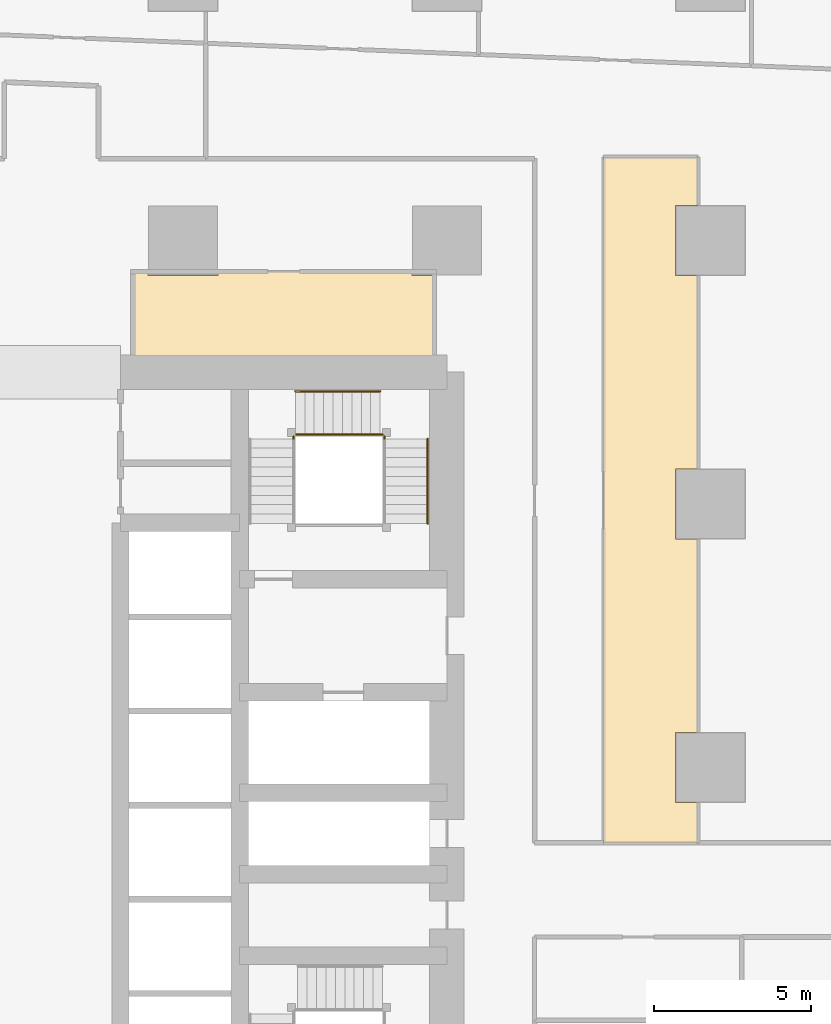
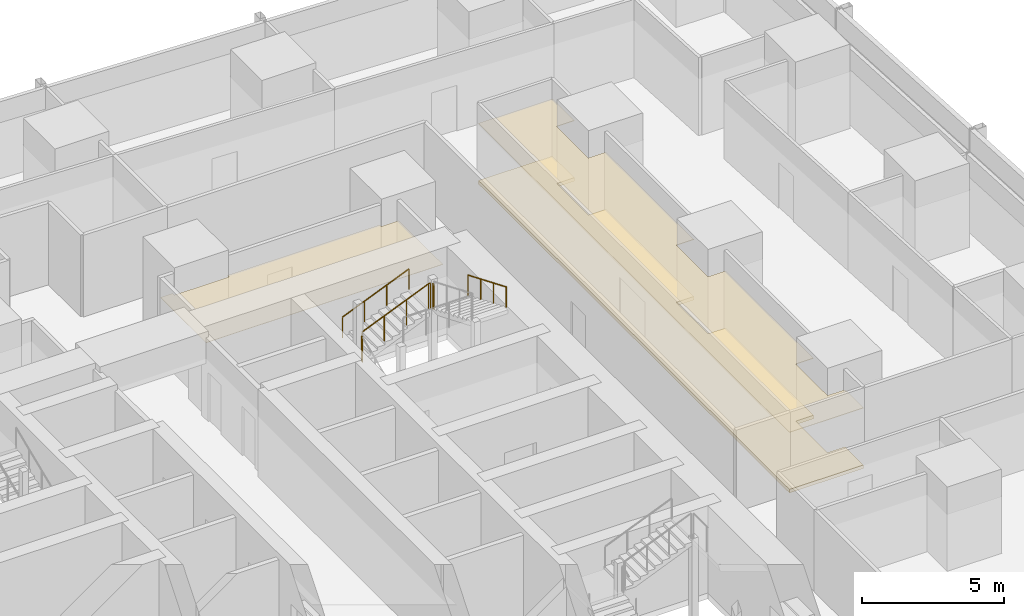
# One storey, part 43 of 44: 6 railings, 3 coverings.
"""IFC4 building model written with IfcOpenShell, lengths in metres."""

from ifc_helpers import new_model, si_unit, direction, frame, origin, origin_2d, place, context, subcontext, project, spatial, polyline, circle, outline, extrude, material, layer, layer_set, type_object, element, save


model = new_model("IFC4")

# Units and contexts
model_context = context("Model", 3, precision=1e-05, world=origin(), true_north=direction((0.0, 1.0)))
body_context = subcontext(model_context, "Body", "Model", "MODEL_VIEW")
ifc_project = project(units=[si_unit("LENGTHUNIT", "METRE"), si_unit("AREAUNIT", "SQUARE_METRE"), si_unit("VOLUMEUNIT", "CUBIC_METRE"), si_unit("PLANEANGLEUNIT", "RADIAN"), si_unit("MASSUNIT", "GRAM", prefix="KILO")], contexts=[model_context])

# Site, building, storey
site_placement = place(None, origin())
site = spatial("IfcSite", under=ifc_project, at=site_placement, CompositionType="ELEMENT")
building_placement = place(site_placement, origin())
building = spatial("IfcBuilding", under=site, at=building_placement, Name="Rekha Terrace Tower", CompositionType="ELEMENT")
storey_placement = place(building_placement, frame((0.0, 0.0, 47.89990234375)))
storey = spatial("IfcBuildingStorey", under=building, at=storey_placement, Name="L11", CompositionType="ELEMENT", Elevation=47.89990234375)

# Coverings
ifc_material_1 = material(Name="Mineral fibre tile in exposed grid", Category="finish")
ifc_layer_1 = layer(ifc_material_1, 0.02001953125)
ifc_layer_set_1 = layer_set([ifc_layer_1], Name="Mineral fibre tile in exposed grid")
covering_type_1 = type_object("IfcCoveringType", Name="CL1 600x1200 office grid ceiling", PredefinedType="CEILING", material=ifc_layer_set_1)
covering_1_placement = place(storey_placement, frame((0.0, 0.0, 2.580078125)))
element("IfcCovering", 1, at=covering_1_placement, inside=storey, type_object=covering_type_1, Name="Ceiling L11-12", PredefinedType="CEILING", context=body_context, shape_type="SweptSolid", body=[
    extrude(outline(polyline([(58.39990234375, 51.514892578125), (58.39990234375, 53.050048828125), (55.39990234375, 53.050048828125), (55.39990234375, 31.199951171875), (58.39990234375, 31.199951171875), (58.39990234375, 32.485107421875), (57.68505859375, 32.485107421875), (57.68505859375, 34.715087890625), (58.39990234375, 34.715087890625), (58.39990234375, 40.885009765625), (57.68505859375, 40.885009765625), (57.68505859375, 43.114990234375), (58.39990234375, 43.114990234375), (58.39990234375, 49.284912109375), (57.68505859375, 49.284912109375), (57.68505859375, 51.514892578125), (58.39990234375, 51.514892578125)])), origin(), (0.0, 0.0, 1.0), 0.02001953125),
])
ifc_material_2 = material(Name="Fibre cement board", Category="finish")
ifc_layer_2 = layer(ifc_material_2, 0.014892578125)
ifc_layer_set_2 = layer_set([ifc_layer_2], Name="Fibre cement board")
covering_type_2 = type_object("IfcCoveringType", Name="CL2 moisture-resistant board ceiling", PredefinedType="CEILING", material=ifc_layer_set_2)
covering_2_placement = place(storey_placement, frame((0.0, 0.0, 2.585205078125)))
element("IfcCovering", 2, at=covering_2_placement, inside=storey, type_object=covering_type_2, Name="Ceiling L11-WCF", PredefinedType="CEILING", context=body_context, shape_type="SweptSolid", body=[
    extrude(outline(polyline([(40.885009765625, 49.39990234375), (40.39990234375, 49.39990234375), (40.39990234375, 46.199951171875), (50.0, 46.199951171875), (50.0, 49.284912109375), (49.284912109375, 49.284912109375), (49.284912109375, 49.39990234375), (43.114990234375, 49.39990234375), (43.114990234375, 49.284912109375), (40.885009765625, 49.284912109375), (40.885009765625, 49.39990234375)])), origin(), (0.0, 0.0, 1.0), 0.014892578125),
])

# Railings
ifc_material_3 = material(Name="Stainless steel balustrade", Category="steel")
railing_type_1 = type_object("IfcRailingType", Name="GR1 1100 stair guard", PredefinedType="GUARDRAIL", material=ifc_material_3)
railing_1_placement = place(storey_placement, frame((45.574951171875, 44.2099609375, 1.375)))
element("IfcRailing", 3, at=railing_1_placement, inside=storey, type_object=railing_type_1, Name="Guard ST2 L11 flight 2", PredefinedType="GUARDRAIL", context=body_context, shape_type="SweptSolid", body=[
    extrude(circle(Radius=0.02392578125, at=origin_2d()), frame((0.0, 0.0, 1.076171875), z_axis=(0.923074453586, 0.0, 0.384621311341), x_axis=(0.0, 1.0, 0.0)), (0.0, 0.0, 1.0), 2.925048828125),
    extrude(circle(Radius=0.02099609375, at=origin_2d()), origin(), (0.0, 0.0, 1.0), 1.052001953125),
    extrude(circle(Radius=0.02099609375, at=origin_2d()), frame((0.89990234375, 0.0, 0.375)), (0.0, 0.0, 1.0), 1.052001953125),
    extrude(circle(Radius=0.02099609375, at=origin_2d()), frame((1.800048828125, 0.0, 0.75)), (0.0, 0.0, 1.0), 1.052001953125),
    extrude(circle(Radius=0.02099609375, at=origin_2d()), frame((2.699951171875, 0.0, 1.125)), (0.0, 0.0, 1.0), 1.052001953125),
])
railing_2_placement = place(storey_placement, frame((45.514892578125, 44.074951171875, 1.25)))
element("IfcRailing", 4, at=railing_2_placement, inside=storey, type_object=railing_type_1, Name="Guard ST2 L11 landing 1", PredefinedType="GUARDRAIL", context=body_context, shape_type="SweptSolid", body=[
    extrude(circle(Radius=0.02392578125, at=origin_2d()), frame((0.0, 0.0, 1.076171875), z_axis=(0.0, 1.0, 0.0), x_axis=(-1.0, 0.0, 0.0)), (0.0, 0.0, 1.0), 0.074951171875),
    extrude(circle(Radius=0.02099609375, at=origin_2d()), origin(), (0.0, 0.0, 1.0), 1.052001953125),
    extrude(circle(Radius=0.02099609375, at=origin_2d()), frame((0.0, 0.074951171875, 0.0)), (0.0, 0.0, 1.0), 1.052001953125),
])
railing_3_placement = place(storey_placement, frame((48.27490234375, 44.2099609375, 2.5)))
element("IfcRailing", 5, at=railing_3_placement, inside=storey, type_object=railing_type_1, Name="Guard ST2 L11 landing 2", PredefinedType="GUARDRAIL", context=body_context, shape_type="SweptSolid", body=[
    extrude(circle(Radius=0.02392578125, at=origin_2d()), frame((0.0, 0.0, 1.076171875), z_axis=(1.0, 0.0, 0.0), x_axis=(0.0, 1.0, 0.0)), (0.0, 0.0, 1.0), 0.0751953125),
    extrude(circle(Radius=0.02099609375, at=origin_2d()), origin(), (0.0, 0.0, 1.0), 1.052001953125),
    extrude(circle(Radius=0.02099609375, at=origin_2d()), frame((0.0751953125, 0.0, 0.0)), (0.0, 0.0, 1.0), 1.052001953125),
])
railing_4_placement = place(storey_placement, frame((48.409912109375, 44.074951171875, 2.5)))
element("IfcRailing", 6, at=railing_4_placement, inside=storey, type_object=railing_type_1, Name="Guard ST2 L11 landing 3", PredefinedType="GUARDRAIL", context=body_context, shape_type="SweptSolid", body=[
    extrude(circle(Radius=0.02392578125, at=origin_2d()), frame((0.0, 0.0, 1.076171875), z_axis=(0.0, 1.0, 0.0), x_axis=(-1.0, 0.0, 0.0)), (0.0, 0.0, 1.0), 0.074951171875),
    extrude(circle(Radius=0.02099609375, at=origin_2d()), origin(), (0.0, 0.0, 1.0), 1.052001953125),
    extrude(circle(Radius=0.02099609375, at=origin_2d()), frame((0.0, 0.074951171875, 0.0)), (0.0, 0.0, 1.0), 1.052001953125),
])
ifc_material_4 = material(Name="Stainless steel tube", Category="steel")
railing_type_2 = type_object("IfcRailingType", Name="HR1 900 stair handrail", PredefinedType="HANDRAIL", material=ifc_material_4)
railing_5_placement = place(storey_placement, frame((45.574951171875, 45.590087890625, 1.375)))
element("IfcRailing", 7, at=railing_5_placement, inside=storey, type_object=railing_type_2, Name="Handrail ST2 L11 flight 2", PredefinedType="HANDRAIL", context=body_context, shape_type="SweptSolid", body=[
    extrude(circle(Radius=0.02392578125, at=origin_2d()), frame((0.0, 0.0, 0.8759765625), z_axis=(0.923074453586, 0.0, 0.384621311341), x_axis=(0.0, 1.0, 0.0)), (0.0, 0.0, 1.0), 2.925048828125),
    extrude(circle(Radius=0.02099609375, at=origin_2d()), origin(), (0.0, 0.0, 1.0), 0.851806640625),
    extrude(circle(Radius=0.02099609375, at=origin_2d()), frame((0.89990234375, 0.0, 0.375)), (0.0, 0.0, 1.0), 0.851806640625),
    extrude(circle(Radius=0.02099609375, at=origin_2d()), frame((1.800048828125, 0.0, 0.75)), (0.0, 0.0, 1.0), 0.851806640625),
    extrude(circle(Radius=0.02099609375, at=origin_2d()), frame((2.699951171875, 0.0, 1.125)), (0.0, 0.0, 1.0), 0.851806640625),
])
railing_6_placement = place(storey_placement, frame((49.7900390625, 44.074951171875, 2.625)))
element("IfcRailing", 8, at=railing_6_placement, inside=storey, type_object=railing_type_2, Name="Handrail ST2 L11 flight 3", PredefinedType="HANDRAIL", context=body_context, shape_type="SweptSolid", body=[
    extrude(circle(Radius=0.02392578125, at=origin_2d()), frame((0.0, 0.0, 0.8759765625), z_axis=(0.0, -0.923074453586, 0.384621311341), x_axis=(1.0, 0.0, 0.0)), (0.0, 0.0, 1.0), 2.925048828125),
    extrude(circle(Radius=0.02099609375, at=origin_2d()), origin(), (0.0, 0.0, 1.0), 0.851806640625),
    extrude(circle(Radius=0.02099609375, at=origin_2d()), frame((0.0, -0.89990234375, 0.375)), (0.0, 0.0, 1.0), 0.851806640625),
    extrude(circle(Radius=0.02099609375, at=origin_2d()), frame((0.0, -1.800048828125, 0.75)), (0.0, 0.0, 1.0), 0.851806640625),
    extrude(circle(Radius=0.02099609375, at=origin_2d()), frame((0.0, -2.699951171875, 1.125)), (0.0, 0.0, 1.0), 0.851806640625),
])

# Covering
ifc_material_5 = material(Name="Calcium sulphate panels on steel pedestals", Category="steel")
ifc_layer_3 = layer(ifc_material_5, 0.14990234375)
ifc_layer_set_3 = layer_set([ifc_layer_3], Name="Calcium sulphate panels on steel pedestals")
covering_type_3 = type_object("IfcCoveringType", Name="RF1 150 raised access floor", PredefinedType="FLOORING", material=ifc_layer_set_3)
covering_3_placement = place(storey_placement, origin())
element("IfcCovering", 9, at=covering_3_placement, inside=storey, type_object=covering_type_3, Name="Raised floor L11-12", PredefinedType="FLOORING", context=body_context, shape_type="SweptSolid", body=[
    extrude(outline(polyline([(58.39990234375, 51.514892578125), (58.39990234375, 53.050048828125), (55.39990234375, 53.050048828125), (55.39990234375, 31.199951171875), (58.39990234375, 31.199951171875), (58.39990234375, 32.485107421875), (57.68505859375, 32.485107421875), (57.68505859375, 34.715087890625), (58.39990234375, 34.715087890625), (58.39990234375, 40.885009765625), (57.68505859375, 40.885009765625), (57.68505859375, 43.114990234375), (58.39990234375, 43.114990234375), (58.39990234375, 49.284912109375), (57.68505859375, 49.284912109375), (57.68505859375, 51.514892578125), (58.39990234375, 51.514892578125)])), origin(), (0.0, 0.0, 1.0), 0.150146484375),
])

save(model, "model.ifc")
